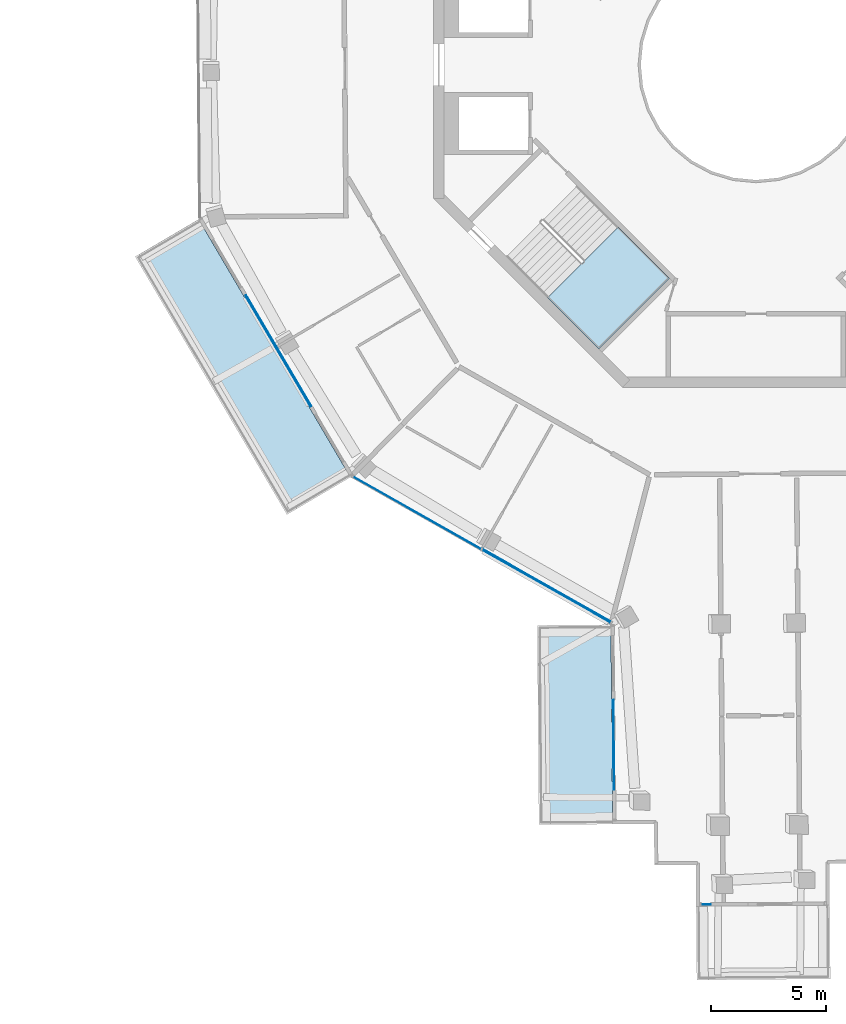
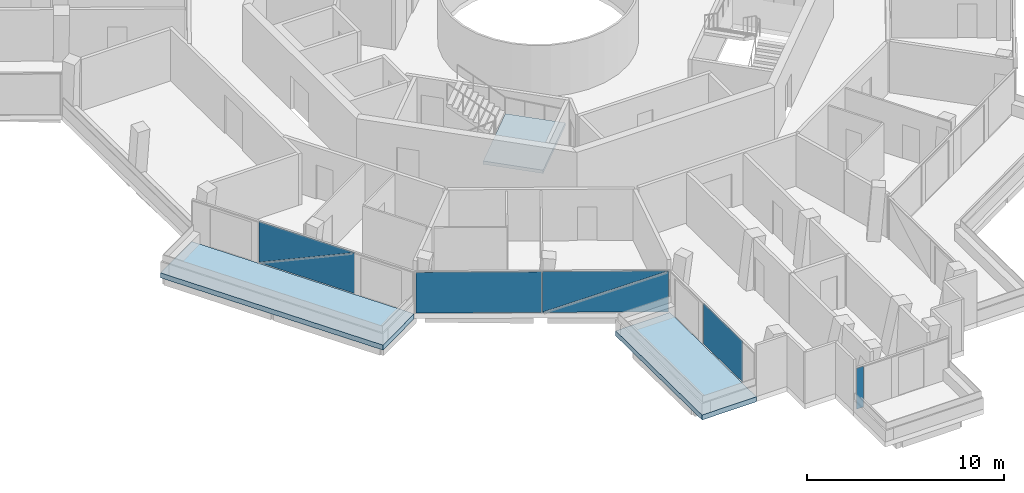
# One storey, part 13 of 26: 7 plates, 3 slabs, 5 elements without a shape of their own.
"""IFC4 building model written with IfcOpenShell, lengths in metres."""

import ifcopenshell
import ifcopenshell.guid

model = None  # the IFC model being written
_history = None  # IfcOwnerHistory: only IFC2X3 demands one
_inside = {}  # id of a spatial element -> (the spatial element, [elements in it])
_under = {}  # id of a project, library or spatial element -> (it, [spatial elements below it])
_declared = {}  # id of a project -> (the project, [libraries it declares])
_typed = {}  # id of a type object -> (the type object, [elements of that type])
_made_of = {}  # id of a material, layer set ... -> (it, [elements and type objects made of it])


def new_model(schema):
    """Start an empty IFC model of exactly this schema.

    Asked for "IFC4X3", IfcOpenShell would pick the latest addendum, in which some entities
    have other attributes; the version numbers below select the first issue.
    IFC2X3 requires an IfcOwnerHistory on every rooted entity: one is made here for all.
    """
    global model, _history
    if schema == "IFC4X3":
        model = ifcopenshell.file(schema_version=(4, 3, 0, 0))
    else:
        model = ifcopenshell.file(schema=schema)
    _inside.clear()
    _under.clear()
    _declared.clear()
    _typed.clear()
    _made_of.clear()
    _history = None
    if model.schema == "IFC2X3":
        org = make("IfcOrganization", Name="unknown")
        user = make(
            "IfcPersonAndOrganization",
            ThePerson=make("IfcPerson", FamilyName="unknown"),
            TheOrganization=org,
        )
        app = make(
            "IfcApplication",
            ApplicationDeveloper=org,
            Version="unknown",
            ApplicationFullName="unknown",
            ApplicationIdentifier="unknown",
        )
        _history = make(
            "IfcOwnerHistory",
            OwningUser=user,
            OwningApplication=app,
            ChangeAction="ADDED",
            CreationDate=0,
        )
    return model


def make(cls, **values):
    """One entity of the class cls with the attributes given. An attribute that is None is left unset."""
    return model.create_entity(
        cls, **{name: value for name, value in values.items() if value is not None}
    )


def rooted(cls, **values):
    """An entity with a GlobalId (a new one), such as an element, a storey or a relation."""
    return make(cls, GlobalId=ifcopenshell.guid.new(), OwnerHistory=_history, **values)


def si_unit(unit_type, name, prefix=None):
    """IfcSIUnit, for example si_unit("LENGTHUNIT", "METRE", prefix="MILLI")."""
    return make("IfcSIUnit", UnitType=unit_type, Prefix=prefix, Name=name)


def assignment(units):
    """IfcUnitAssignment: the units of a project."""
    return None if units is None else make("IfcUnitAssignment", Units=units)


def point(xyz):
    """IfcCartesianPoint."""
    return None if xyz is None else make("IfcCartesianPoint", Coordinates=xyz)


def direction(xyz):
    """IfcDirection."""
    return None if xyz is None else make("IfcDirection", DirectionRatios=xyz)


def frame(location, z_axis=None, x_axis=None):
    """IfcAxis2Placement3D, a coordinate frame: its origin and axes. An axis left out is left unset."""
    return make(
        "IfcAxis2Placement3D",
        Location=point(location),
        Axis=direction(z_axis),
        RefDirection=direction(x_axis),
    )


def frame_2d(location, x_axis=None):
    """IfcAxis2Placement2D, a coordinate frame in the plane: its origin and x axis."""
    return make(
        "IfcAxis2Placement2D", Location=point(location), RefDirection=direction(x_axis)
    )


def origin():
    """The frame at (0, 0, 0) with its axes left unset."""
    return frame((0.0, 0.0, 0.0))


def origin_2d():
    """The frame at (0, 0) in the plane with its x axis left unset."""
    return frame_2d((0.0, 0.0))


def place(relative_to, where):
    """IfcLocalPlacement: puts the frame where relative to a parent placement (None: the world)."""
    return make(
        "IfcLocalPlacement", PlacementRelTo=relative_to, RelativePlacement=where
    )


def context(
    kind, dimensions, precision=None, world=None, true_north=None, identifier=None
):
    """IfcGeometricRepresentationContext, for example the 3D "Model" context."""
    return make(
        "IfcGeometricRepresentationContext",
        ContextIdentifier=identifier,
        ContextType=kind,
        CoordinateSpaceDimension=dimensions,
        Precision=precision,
        WorldCoordinateSystem=world,
        TrueNorth=true_north,
    )


def subcontext(parent, identifier, kind, view, scale=None):
    """IfcGeometricRepresentationSubContext, for example "Body" below "Model"."""
    return make(
        "IfcGeometricRepresentationSubContext",
        ContextIdentifier=identifier,
        ContextType=kind,
        ParentContext=parent,
        TargetScale=scale,
        TargetView=view,
    )


def project(units=None, contexts=None):
    """IfcProject with its units and contexts."""
    return rooted(
        "IfcProject",
        Name="project",
        RepresentationContexts=contexts,
        UnitsInContext=assignment(units),
    )


def spatial(cls, under=None, at=None, **own):
    """A site, building, storey or space (cls), placed at a placement, below another one or the project."""
    s = rooted(cls, ObjectPlacement=at, **own)
    if under is not None:
        _under.setdefault(under.id(), (under, []))[1].append(s)
    return s


def polyline(points):
    """IfcPolyline through the points."""
    return make("IfcPolyline", Points=[point(p) for p in points])


def profile(cls, at=None, kind="AREA", **sizes):
    """A parametric profile (cls). Its sizes go by their IFC names, for example OverallWidth=200.0."""
    return make(cls, ProfileType=kind, Position=at, **sizes)


def rectangle(**sizes):
    """IfcRectangleProfileDef."""
    return profile("IfcRectangleProfileDef", **sizes)


def outline(outer, holes=None, kind="AREA"):
    """IfcArbitraryClosedProfileDef: a profile drawn as a closed curve; with holes, ...WithVoids."""
    if holes is None:
        return make("IfcArbitraryClosedProfileDef", ProfileType=kind, OuterCurve=outer)
    return make(
        "IfcArbitraryProfileDefWithVoids",
        ProfileType=kind,
        OuterCurve=outer,
        InnerCurves=holes,
    )


def extrude(swept, where, along, depth):
    """IfcExtrudedAreaSolid: the profile swept, set in the frame where, extruded along a direction by depth."""
    return make(
        "IfcExtrudedAreaSolid",
        SweptArea=swept,
        Position=where,
        ExtrudedDirection=direction(along),
        Depth=depth,
    )


def shape(context_of_items, identifier, shape_type, items):
    """IfcShapeRepresentation: the items that make up one representation, for example the "Body"."""
    return make(
        "IfcShapeRepresentation",
        ContextOfItems=context_of_items,
        RepresentationIdentifier=identifier,
        RepresentationType=shape_type,
        Items=items,
    )


def material(Name=None, Category=None):
    """IfcMaterial."""
    return make("IfcMaterial", Name=Name, Category=Category)


def layer(
    of_material, thickness, ventilated=None, Name=None, Category=None, Priority=None
):
    """IfcMaterialLayer: one layer of a wall or slab, of a material (None: an air gap)."""
    return make(
        "IfcMaterialLayer",
        Material=of_material,
        LayerThickness=thickness,
        IsVentilated=ventilated,
        Name=Name,
        Category=Category,
        Priority=Priority,
    )


def layer_set(layers, Name=None):
    """IfcMaterialLayerSet."""
    return make("IfcMaterialLayerSet", MaterialLayers=layers, LayerSetName=Name)


def made_of(thing, what):
    """Note that an element or type object is made of a material, layer set ...; save() writes the relation."""
    if what is not None:
        _made_of.setdefault(what.id(), (what, []))[1].append(thing)
    return thing


def type_object(cls, material=None, **own):
    """A type object (cls), such as IfcWallType, which elements share."""
    return made_of(rooted(cls, **own), material)


def element(
    cls,
    number,
    at=None,
    inside=None,
    cuts=None,
    type_object=None,
    material=None,
    context=None,
    identifier="Body",
    shape_type=None,
    held_by="IfcProductDefinitionShape",
    body=None,
    shapes=None,
    **own,
):
    """One element of the class cls, such as IfcWall. Its Tag is "e" and its number.

    at: its placement. inside: the storey or other place that contains it. cuts: it is an
    opening in that element (IfcRelVoidsElement). A single representation is given by context,
    identifier, shape_type and body (its items); several are given by shapes. held_by: the class
    of the entity that holds the representations. save() writes the other relations.
    """
    e = rooted(cls, Tag="e%d" % number, ObjectPlacement=at, **own)
    if body is not None:
        shapes = [shape(context, identifier, shape_type, body)]
    if shapes is not None:
        e.Representation = make(held_by, Representations=shapes)
    if inside is not None:
        _inside.setdefault(inside.id(), (inside, []))[1].append(e)
    if cuts is not None:
        rooted(
            "IfcRelVoidsElement", RelatingBuildingElement=cuts, RelatedOpeningElement=e
        )
    if type_object is not None:
        _typed.setdefault(type_object.id(), (type_object, []))[1].append(e)
    return made_of(e, material)


def aggregate(whole, parts):
    """IfcRelAggregates: a whole, such as a stair, and the parts it consists of."""
    return rooted("IfcRelAggregates", RelatingObject=whole, RelatedObjects=parts)


def save(model, path):
    """Write the relations noted so far, then the file.

    IfcRelAggregates (storeys below a building ...), IfcRelContainedInSpatialStructure (elements
    in a storey), IfcRelDefinesByType, IfcRelAssociatesMaterial and IfcRelDeclares: one each for
    every whole, place, type object, material and project.
    """
    for whole, parts in _under.values():
        aggregate(whole, parts)
    for where, things in _inside.values():
        rooted(
            "IfcRelContainedInSpatialStructure",
            RelatedElements=things,
            RelatingStructure=where,
        )
    for kind, things in _typed.values():
        rooted("IfcRelDefinesByType", RelatedObjects=things, RelatingType=kind)
    for what, things in _made_of.values():
        rooted("IfcRelAssociatesMaterial", RelatedObjects=things, RelatingMaterial=what)
    for by, libraries in _declared.values():
        rooted("IfcRelDeclares", RelatingContext=by, RelatedDefinitions=libraries)
    model.write(path)


model = new_model("IFC4")

# Units and contexts
model_context = context("Model", 3, precision=1e-05, world=origin(), true_north=direction((0.0, 1.0)))
body_context = subcontext(model_context, "Body", "Model", "MODEL_VIEW")
ifc_project = project(units=[si_unit("LENGTHUNIT", "METRE"), si_unit("AREAUNIT", "SQUARE_METRE"), si_unit("VOLUMEUNIT", "CUBIC_METRE"), si_unit("PLANEANGLEUNIT", "RADIAN"), si_unit("MASSUNIT", "GRAM", prefix="KILO")], contexts=[model_context])

# Site, building, storey
site_placement = place(None, origin())
site = spatial("IfcSite", under=ifc_project, at=site_placement, CompositionType="ELEMENT")
building_placement = place(site_placement, origin())
building = spatial("IfcBuilding", under=site, at=building_placement, Name="Verdalira Terraces Hotel", CompositionType="ELEMENT")
storey_placement = place(building_placement, frame((0.0, 0.0, 281.0)))
storey = spatial("IfcBuildingStorey", under=building, at=storey_placement, Name="L69", CompositionType="ELEMENT", Elevation=281.0)

# Slabs
ifc_material_1 = material(Name="Precast concrete C40/50", Category="concrete")
ifc_layer_1 = layer(ifc_material_1, 0.31005859375)
ifc_layer_set_1 = layer_set([ifc_layer_1], Name="Balcony deck 310")
slab_type_1 = type_object("IfcSlabType", Name="Balcony deck 310", PredefinedType="FLOOR", material=ifc_layer_set_1)
slab_1_placement = place(storey_placement, frame((0.0, 0.0, -0.310059)))
element("IfcSlab", 1, at=slab_1_placement, inside=storey, type_object=slab_type_1, Name="Balcony deck", PredefinedType="FLOOR", context=body_context, shape_type="SweptSolid", body=[
    extrude(outline(polyline([(-20.366699, -19.529541), (-17.608887, -17.906494), (-24.203125, -6.702881), (-26.960693, -8.326172), (-20.366699, -19.529541)])), origin(), (0.0, 0.0, 1.0), 0.310059),
])
slab_2_placement = place(storey_placement, frame((0.0, 0.0, -0.310059)))
element("IfcSlab", 2, at=slab_2_placement, inside=storey, type_object=slab_type_1, Name="Balcony deck", PredefinedType="FLOOR", context=body_context, shape_type="SweptSolid", body=[
    extrude(outline(polyline([(-9.423828, -32.998535), (-6.223877, -32.97168), (-6.296631, -24.312012), (-9.496338, -24.338623), (-9.423828, -32.998535)])), origin(), (0.0, 0.0, 1.0), 0.310059),
])

# Curtain wall, plates
ifc_material_2 = material(Name="Clear glass", Category="glass")
ifc_layer_2 = layer(ifc_material_2, 0.14990234375)
ifc_layer_set_2 = layer_set([ifc_layer_2], Name="CW1 curtain wall")
curtain_wall_type_1 = type_object("IfcCurtainWallType", Name="CW1 curtain wall", PredefinedType="NOTDEFINED", material=ifc_layer_set_2)
curtain_wall_1_placement = place(storey_placement, origin())
curtain_wall_1 = element("IfcCurtainWall", 3, at=curtain_wall_1_placement, inside=storey, type_object=curtain_wall_type_1, Name="CW1 curtain wall L69 edge 12", PredefinedType="NOTDEFINED")
ifc_material_3 = material(Name="Clear glass", Category="glass")
ifc_layer_3 = layer(ifc_material_3, 0.028076171875)
ifc_layer_set_3 = layer_set([ifc_layer_3], Name="CW1 glass unit 28")
plate_type_1 = type_object("IfcPlateType", Name="CW1 glass unit 28", PredefinedType="CURTAIN_PANEL", material=ifc_layer_set_3)
plate_1_placement = place(storey_placement, frame((-20.737793, -12.414795, 1.262451), z_axis=(-0.861806272, -0.507237567, 0.0), x_axis=(0.507237567, -0.861806272, 0.0)))
plate_1 = element("IfcPlate", 4, at=plate_1_placement, type_object=plate_type_1, Name="CW1 glass unit", PredefinedType="CURTAIN_PANEL", context=body_context, shape_type="SweptSolid", body=[
    extrude(outline(polyline([(-2.792969, -1.262451), (2.792969, -1.262451), (2.792969, 1.262451), (-2.792969, -1.262451)])), origin(), (0.0, 0.0, 1.0), 0.028076),
])
plate_2_placement = place(storey_placement, frame((-20.712891, -12.399902, 1.262451), z_axis=(-0.861806272, -0.507237567, 0.0), x_axis=(0.507237567, -0.861806272, 0.0)))
plate_2 = element("IfcPlate", 5, at=plate_2_placement, type_object=plate_type_1, Name="CW1 glass unit", PredefinedType="CURTAIN_PANEL", context=body_context, shape_type="SweptSolid", body=[
    extrude(outline(polyline([(-2.792969, -1.262451), (2.792969, 1.262451), (-2.792969, 1.262451), (-2.792969, -1.262451)])), origin(), (0.0, 0.0, 1.0), 0.028076),
])
aggregate(curtain_wall_1, [plate_1, plate_2])

curtain_wall_2_placement = place(storey_placement, origin())
curtain_wall_2 = element("IfcCurtainWall", 6, at=curtain_wall_2_placement, inside=storey, type_object=curtain_wall_type_1, Name="CW1 curtain wall L69 edge 13", PredefinedType="NOTDEFINED")
plate_3_placement = place(storey_placement, frame((-14.713379, -19.459961, 0.0), z_axis=(0.0, 0.0, 1.0), x_axis=(0.870183755, -0.492727342, 0.0)))
plate_3 = element("IfcPlate", 7, at=plate_3_placement, type_object=plate_type_1, Name="CW1 glass unit", PredefinedType="CURTAIN_PANEL", context=body_context, shape_type="SweptSolid", body=[
    extrude(rectangle(XDim=6.369873, YDim=0.028076, at=origin_2d()), origin(), (0.0, 0.0, 1.0), 2.524902),
])
plate_4_placement = place(storey_placement, frame((-9.093994, -22.625732, 1.262451), z_axis=(-0.492727342, -0.870183755, 0.0), x_axis=(0.870183755, -0.492727342, 0.0)))
plate_4 = element("IfcPlate", 8, at=plate_4_placement, type_object=plate_type_1, Name="CW1 glass unit", PredefinedType="CURTAIN_PANEL", context=body_context, shape_type="SweptSolid", body=[
    extrude(outline(polyline([(-3.205078, -1.262451), (3.205078, -1.262451), (3.205078, 1.262451), (-3.205078, -1.262451)])), origin(), (0.0, 0.0, 1.0), 0.028076),
])
plate_5_placement = place(storey_placement, frame((-9.07959, -22.600342, 1.262451), z_axis=(-0.492727342, -0.870183755, 0.0), x_axis=(0.870183755, -0.492727342, 0.0)))
plate_5 = element("IfcPlate", 9, at=plate_5_placement, type_object=plate_type_1, Name="CW1 glass unit", PredefinedType="CURTAIN_PANEL", context=body_context, shape_type="SweptSolid", body=[
    extrude(outline(polyline([(-3.205078, -1.262451), (3.205078, 1.262451), (-3.205078, 1.262451), (-3.205078, -1.262451)])), origin(), (0.0, 0.0, 1.0), 0.028076),
])
aggregate(curtain_wall_2, [plate_3, plate_4, plate_5])

# Curtain wall, plate
ifc_material_4 = material(Name="Clear glass", Category="glass")
ifc_layer_4 = layer(ifc_material_4, 0.14990234375)
ifc_layer_set_4 = layer_set([ifc_layer_4], Name="CW2 curtain wall")
curtain_wall_type_2 = type_object("IfcCurtainWallType", Name="CW2 curtain wall", PredefinedType="NOTDEFINED", material=ifc_layer_set_4)
curtain_wall_3_placement = place(storey_placement, origin())
curtain_wall_3 = element("IfcCurtainWall", 10, at=curtain_wall_3_placement, inside=storey, type_object=curtain_wall_type_2, Name="CW2 curtain wall L69 edge 14", PredefinedType="NOTDEFINED")
ifc_material_5 = material(Name="Clear glass", Category="glass")
ifc_layer_5 = layer(ifc_material_5, 0.031982421875)
ifc_layer_set_5 = layer_set([ifc_layer_5], Name="CW2 glass unit 32")
plate_type_2 = type_object("IfcPlateType", Name="CW2 glass unit 32", PredefinedType="CURTAIN_PANEL", material=ifc_layer_set_5)
plate_6_placement = place(storey_placement, frame((-6.177734, -29.53125, 0.0), z_axis=(0.0, 0.0, 1.0), x_axis=(0.008377482, -0.999964908, 0.0)))
plate_6 = element("IfcPlate", 11, at=plate_6_placement, type_object=plate_type_2, Name="CW2 glass unit", PredefinedType="CURTAIN_PANEL", context=body_context, shape_type="SweptSolid", body=[
    extrude(rectangle(XDim=3.900146, YDim=0.031982, at=origin_2d()), origin(), (0.0, 0.0, 1.0), 2.524902),
])
aggregate(curtain_wall_3, [plate_6])

ifc_material_6 = material(Name="Clear glass", Category="glass")
ifc_layer_6 = layer(ifc_material_6, 0.14990234375)
ifc_layer_set_6 = layer_set([ifc_layer_6], Name="CW3 curtain wall")
curtain_wall_type_3 = type_object("IfcCurtainWallType", Name="CW3 curtain wall", PredefinedType="NOTDEFINED", material=ifc_layer_set_6)
curtain_wall_4_placement = place(storey_placement, origin())
curtain_wall_4 = element("IfcCurtainWall", 12, at=curtain_wall_4_placement, inside=storey, type_object=curtain_wall_type_3, Name="CW3 curtain wall L69 edge 19", PredefinedType="NOTDEFINED")
ifc_material_7 = material(Name="Clear glass", Category="glass")
ifc_layer_7 = layer(ifc_material_7, 0.035888671875)
ifc_layer_set_7 = layer_set([ifc_layer_7], Name="CW3 glass unit 36")
plate_type_3 = type_object("IfcPlateType", Name="CW3 glass unit 36", PredefinedType="CURTAIN_PANEL", material=ifc_layer_set_7)
plate_7_placement = place(storey_placement, frame((-2.164551, -36.462891, 0.0), z_axis=(0.0, 0.0, 1.0), x_axis=(0.999964908, 0.008377482, 0.0)))
plate_7 = element("IfcPlate", 13, at=plate_7_placement, type_object=plate_type_3, Name="CW3 glass unit", PredefinedType="CURTAIN_PANEL", context=body_context, shape_type="SweptSolid", body=[
    extrude(rectangle(XDim=0.399902, YDim=0.035889, at=origin_2d()), origin(), (0.0, 0.0, 1.0), 2.524902),
])
aggregate(curtain_wall_4, [plate_7])

# Stair, slab
ifc_material_8 = material(Name="Concrete C40", Category="concrete")
stair_type = type_object("IfcStairType", Name="Core stair 20 risers 2125 mm wide", PredefinedType="HALF_TURN_STAIR", material=ifc_material_8)
stair_placement = place(storey_placement, origin())
stair = element("IfcStair", 14, at=stair_placement, inside=storey, type_object=stair_type, Name="L69 Exit stair ST2", PredefinedType="HALF_TURN_STAIR")
ifc_material_9 = material(Name="Concrete C40", Category="concrete")
ifc_layer_8 = layer(ifc_material_9, 0.199951171875)
ifc_layer_set_8 = layer_set([ifc_layer_8], Name="Core stair landing 200 mm")
slab_type_2 = type_object("IfcSlabType", Name="Core stair landing 200 mm", PredefinedType="LANDING", material=ifc_layer_set_8)
slab_3_placement = place(storey_placement, frame((0.0, 0.0, 1.550049)))
slab_3 = element("IfcSlab", 15, at=slab_3_placement, type_object=slab_type_2, Name="ST2 landing 1", PredefinedType="LANDING", context=body_context, shape_type="SweptSolid", body=[
    extrude(outline(polyline([(-9.054932, -10.107666), (-6.823486, -12.339111), (-3.747559, -9.263184), (-5.979004, -7.031738), (-9.054932, -10.107666)])), origin(), (0.0, 0.0, 1.0), 0.199951),
])
aggregate(stair, [slab_3])

save(model, "model.ifc")
